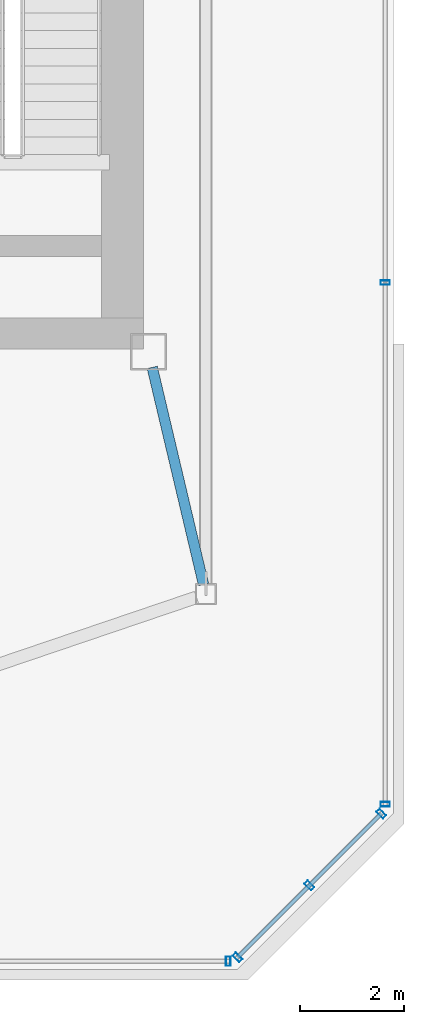
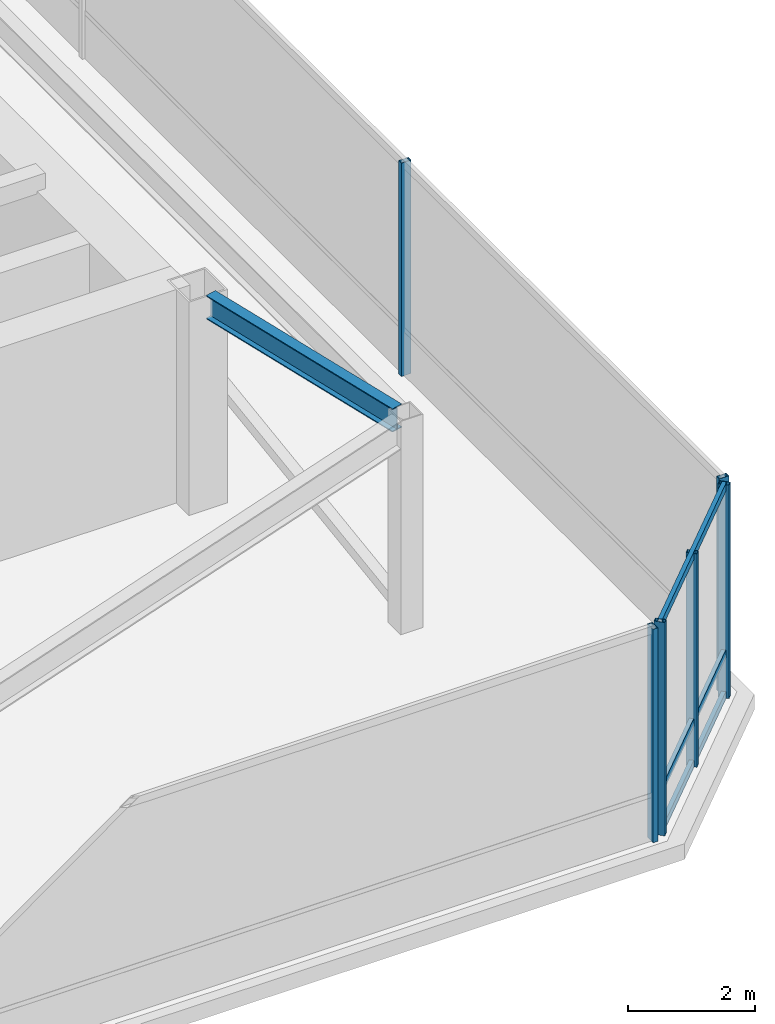
# One storey, part 10 of 22: 9 members, 1 beam, 3 elements without a shape of their own.
"""IFC4 building model written with IfcOpenShell, lengths in metres."""

from ifc_helpers import new_model, si_unit, direction, frame, origin, origin_2d, place, context, subcontext, project, spatial, hollow_rectangle, i_section, extrude, material, layer, layer_set, material_profile, profile_set, type_object, element, aggregate, save


model = new_model("IFC4")

# Units and contexts
model_context = context("Model", 3, precision=1e-05, world=origin(), true_north=direction((0.0, 1.0)))
body_context = subcontext(model_context, "Body", "Model", "MODEL_VIEW")
ifc_project = project(units=[si_unit("LENGTHUNIT", "METRE"), si_unit("AREAUNIT", "SQUARE_METRE"), si_unit("VOLUMEUNIT", "CUBIC_METRE"), si_unit("PLANEANGLEUNIT", "RADIAN"), si_unit("MASSUNIT", "GRAM", prefix="KILO")], contexts=[model_context])

# Site, building, storey
site_placement = place(None, origin())
site = spatial("IfcSite", under=ifc_project, at=site_placement, CompositionType="ELEMENT")
building_placement = place(site_placement, origin())
building = spatial("IfcBuilding", under=site, at=building_placement, Name="Tavrogorsk Clinical Tower", CompositionType="ELEMENT")
storey_placement = place(building_placement, frame((0.0, 0.0, 339.800048828125)))
storey = spatial("IfcBuildingStorey", under=building, at=storey_placement, Name="L79", CompositionType="ELEMENT", Elevation=339.800048828125)

# Curtain wall, members
ifc_material_1 = material(Name="Anodised aluminium and triple IGU glazing", Category="aluminium")
ifc_layer = layer(ifc_material_1, 0.179931640625)
ifc_layer_set = layer_set([ifc_layer], Name="Anodised aluminium and triple IGU glazing")
curtain_wall_type = type_object("IfcCurtainWallType", Name="CW6_TmdLantern", PredefinedType="NOTDEFINED", material=ifc_layer_set)
curtain_wall_1_placement = place(storey_placement, origin())
curtain_wall_1 = element("IfcCurtainWall", 1, at=curtain_wall_1_placement, inside=storey, type_object=curtain_wall_type, Name="L79 Curtain Wall CW-L79-DRUM-6", PredefinedType="NOTDEFINED")
ifc_material_2 = material(Name="Anodised aluminium alloy AW-6060", Category="aluminium")
ifc_material_profile_1 = material_profile(ifc_material_2, hollow_rectangle(XDim=0.090087890625, YDim=0.179931640625, WallThickness=0.00634765625, at=origin_2d()), Name="RHS-180x90x6.3")
ifc_profile_set_1 = profile_set([ifc_material_profile_1], Name="Anodised aluminium alloy AW-6060")
member_type_1 = type_object("IfcMemberType", Name="CwMullion_180x90", PredefinedType="MULLION", material=ifc_profile_set_1)
member_1_placement = place(storey_placement, frame((26.639892578125, -5.024658203125, 0.0), z_axis=(0.0, 0.0, 1.0), x_axis=(0.0, -1.0, 0.0)))
member_1 = element("IfcMember", 2, at=member_1_placement, type_object=member_type_1, Name="CW-L79-DRUM-6 Mullion 3", PredefinedType="MULLION", context=body_context, shape_type="SweptSolid", body=[
    extrude(hollow_rectangle(XDim=0.090087890625, YDim=0.179931640625, WallThickness=0.00634765625, at=origin_2d()), origin(), (0.0, 0.0, 1.0), 4.099853515625),
])
member_2_placement = place(storey_placement, frame((26.639892578125, -15.02880859375, 0.0), z_axis=(0.0, 0.0, 1.0), x_axis=(0.0, -1.0, 0.0)))
member_2 = element("IfcMember", 3, at=member_2_placement, type_object=member_type_1, Name="CW-L79-DRUM-6 Mullion 4", PredefinedType="MULLION", context=body_context, shape_type="SweptSolid", body=[
    extrude(hollow_rectangle(XDim=0.090087890625, YDim=0.179931640625, WallThickness=0.00634765625, at=origin_2d()), origin(), (0.0, 0.0, 1.0), 4.099853515625),
])
aggregate(curtain_wall_1, [member_1, member_2])

curtain_wall_2_placement = place(storey_placement, origin())
curtain_wall_2 = element("IfcCurtainWall", 4, at=curtain_wall_2_placement, inside=storey, type_object=curtain_wall_type, Name="L79 Curtain Wall CW-L79-DRUM-7", PredefinedType="NOTDEFINED")
member_3_placement = place(storey_placement, frame((26.565673828125, -15.2080078125, 0.0), z_axis=(0.0, 0.0, 1.0), x_axis=(-0.707106781187, -0.707106781187, 0.0)))
member_3 = element("IfcMember", 5, at=member_3_placement, type_object=member_type_1, Name="CW-L79-DRUM-7 Mullion 1", PredefinedType="MULLION", context=body_context, shape_type="SweptSolid", body=[
    extrude(hollow_rectangle(XDim=0.090087890625, YDim=0.179931640625, WallThickness=0.00634765625, at=origin_2d()), origin(), (0.0, 0.0, 1.0), 4.099853515625),
])
member_4_placement = place(storey_placement, frame((25.186767578125, -16.5869140625, 0.0), z_axis=(0.0, 0.0, 1.0), x_axis=(-0.707106781187, -0.707106781187, 0.0)))
member_4 = element("IfcMember", 6, at=member_4_placement, type_object=member_type_1, Name="CW-L79-DRUM-7 Mullion 2", PredefinedType="MULLION", context=body_context, shape_type="SweptSolid", body=[
    extrude(hollow_rectangle(XDim=0.090087890625, YDim=0.179931640625, WallThickness=0.00634765625, at=origin_2d()), origin(), (0.0, 0.0, 1.0), 4.099853515625),
])
member_5_placement = place(storey_placement, frame((23.807861328125, -17.9658203125, 0.0), z_axis=(0.0, 0.0, 1.0), x_axis=(-0.707106781187, -0.707106781187, 0.0)))
member_5 = element("IfcMember", 7, at=member_5_placement, type_object=member_type_1, Name="CW-L79-DRUM-7 Mullion 3", PredefinedType="MULLION", context=body_context, shape_type="SweptSolid", body=[
    extrude(hollow_rectangle(XDim=0.090087890625, YDim=0.179931640625, WallThickness=0.00634765625, at=origin_2d()), origin(), (0.0, 0.0, 1.0), 4.099853515625),
])

# Curtain wall, member
curtain_wall_3_placement = place(storey_placement, origin())
curtain_wall_3 = element("IfcCurtainWall", 8, at=curtain_wall_3_placement, inside=storey, type_object=curtain_wall_type, Name="L79 Curtain Wall CW-L79-DRUM-8", PredefinedType="NOTDEFINED")
member_6_placement = place(storey_placement, frame((23.628662109375, -18.0400390625, 0.0), z_axis=(0.0, 0.0, 1.0), x_axis=(-1.0, 0.0, 0.0)))
member_6 = element("IfcMember", 9, at=member_6_placement, type_object=member_type_1, Name="CW-L79-DRUM-8 Mullion 1", PredefinedType="MULLION", context=body_context, shape_type="SweptSolid", body=[
    extrude(hollow_rectangle(XDim=0.090087890625, YDim=0.179931640625, WallThickness=0.00634765625, at=origin_2d()), origin(), (0.0, 0.0, 1.0), 4.099853515625),
])
aggregate(curtain_wall_3, [member_6])

# Member
ifc_material_3 = material(Name="Anodised aluminium alloy AW-6060", Category="aluminium")
ifc_material_profile_2 = material_profile(ifc_material_3, hollow_rectangle(XDim=0.074951171875, YDim=0.14990234375, WallThickness=0.0048828125, at=origin_2d()), Name="RHS-150x75x5")
ifc_profile_set_2 = profile_set([ifc_material_profile_2], Name="Anodised aluminium alloy AW-6060")
member_type_2 = type_object("IfcMemberType", Name="CwTransom_150x75", PredefinedType="USERDEFINED", material=ifc_profile_set_2)
member_7_placement = place(storey_placement, frame((26.565673828125, -15.2080078125, 0.050048828125), z_axis=(-0.707106781187, -0.707106781187, 0.0), x_axis=(0.707106781187, -0.707106781187, 0.0)))
member_7 = element("IfcMember", 10, at=member_7_placement, type_object=member_type_2, Name="CW-L79-DRUM-7 Transom 1", ObjectType="TRANSOM", PredefinedType="USERDEFINED", context=body_context, shape_type="SweptSolid", body=[
    extrude(hollow_rectangle(XDim=0.074951171875, YDim=0.14990234375, WallThickness=0.0048828125, at=origin_2d()), origin(), (0.0, 0.0, 1.0), 3.900146484375),
])

member_8_placement = place(storey_placement, frame((26.565673828125, -15.2080078125, 0.849853515625), z_axis=(-0.707106781187, -0.707106781187, 0.0), x_axis=(0.707106781187, -0.707106781187, 0.0)))
member_8 = element("IfcMember", 11, at=member_8_placement, type_object=member_type_2, Name="CW-L79-DRUM-7 Transom 2", ObjectType="TRANSOM", PredefinedType="USERDEFINED", context=body_context, shape_type="SweptSolid", body=[
    extrude(hollow_rectangle(XDim=0.074951171875, YDim=0.14990234375, WallThickness=0.0048828125, at=origin_2d()), origin(), (0.0, 0.0, 1.0), 3.900146484375),
])

member_9_placement = place(storey_placement, frame((26.565673828125, -15.2080078125, 4.050048828125), z_axis=(-0.707106781187, -0.707106781187, 0.0), x_axis=(0.707106781187, -0.707106781187, 0.0)))
member_9 = element("IfcMember", 12, at=member_9_placement, type_object=member_type_2, Name="CW-L79-DRUM-7 Transom 3", ObjectType="TRANSOM", PredefinedType="USERDEFINED", context=body_context, shape_type="SweptSolid", body=[
    extrude(hollow_rectangle(XDim=0.074951171875, YDim=0.14990234375, WallThickness=0.0048828125, at=origin_2d()), origin(), (0.0, 0.0, 1.0), 3.900146484375),
])

aggregate(curtain_wall_2, [member_3, member_4, member_5, member_7, member_8, member_9])

# Beam
ifc_material_4 = material(Name="Structural steel S355", Category="steel")
ifc_material_profile_3 = material_profile(ifc_material_4, i_section(OverallWidth=0.199951171875, OverallDepth=0.449951171875, WebThickness=0.011474609375, FlangeThickness=0.01806640625, at=origin_2d()), Name="B-450x200x11.5x18")
ifc_profile_set_3 = profile_set([ifc_material_profile_3], Name="Structural steel S355")
beam_type = type_object("IfcBeamType", Name="FloorBeam_B450", PredefinedType="BEAM", material=ifc_profile_set_3)
beam_placement = place(storey_placement, frame((22.17138671875, -6.651611328125, 3.875), z_axis=(0.230190528398, -0.973145580392, 0.0), x_axis=(0.973145580392, 0.230190528398, 0.0)))
element("IfcBeam", 13, at=beam_placement, inside=storey, type_object=beam_type, Name="L79 Crown Radial Beam 04", PredefinedType="BEAM", context=body_context, shape_type="SweptSolid", body=[
    extrude(i_section(OverallWidth=0.199951171875, OverallDepth=0.449951171875, WebThickness=0.011474609375, FlangeThickness=0.01806640625, at=origin_2d()), origin(), (0.0, 0.0, 1.0), 4.278564453125),
])

save(model, "model.ifc")
